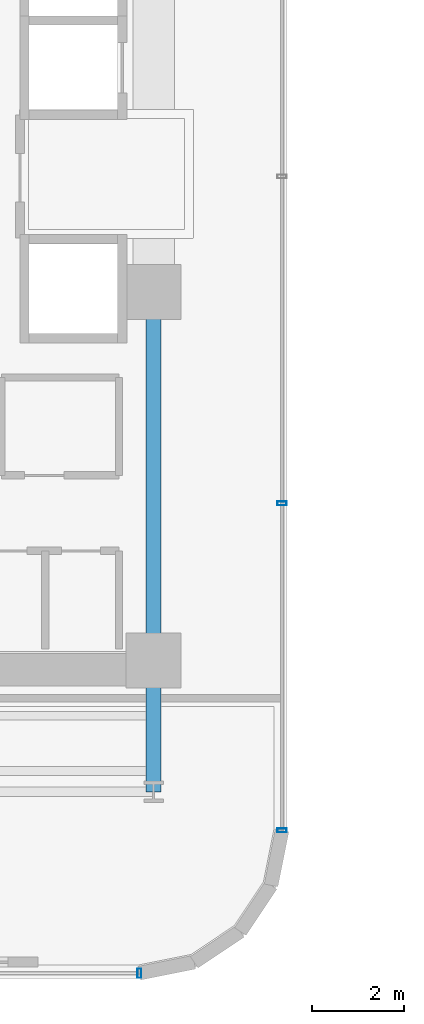
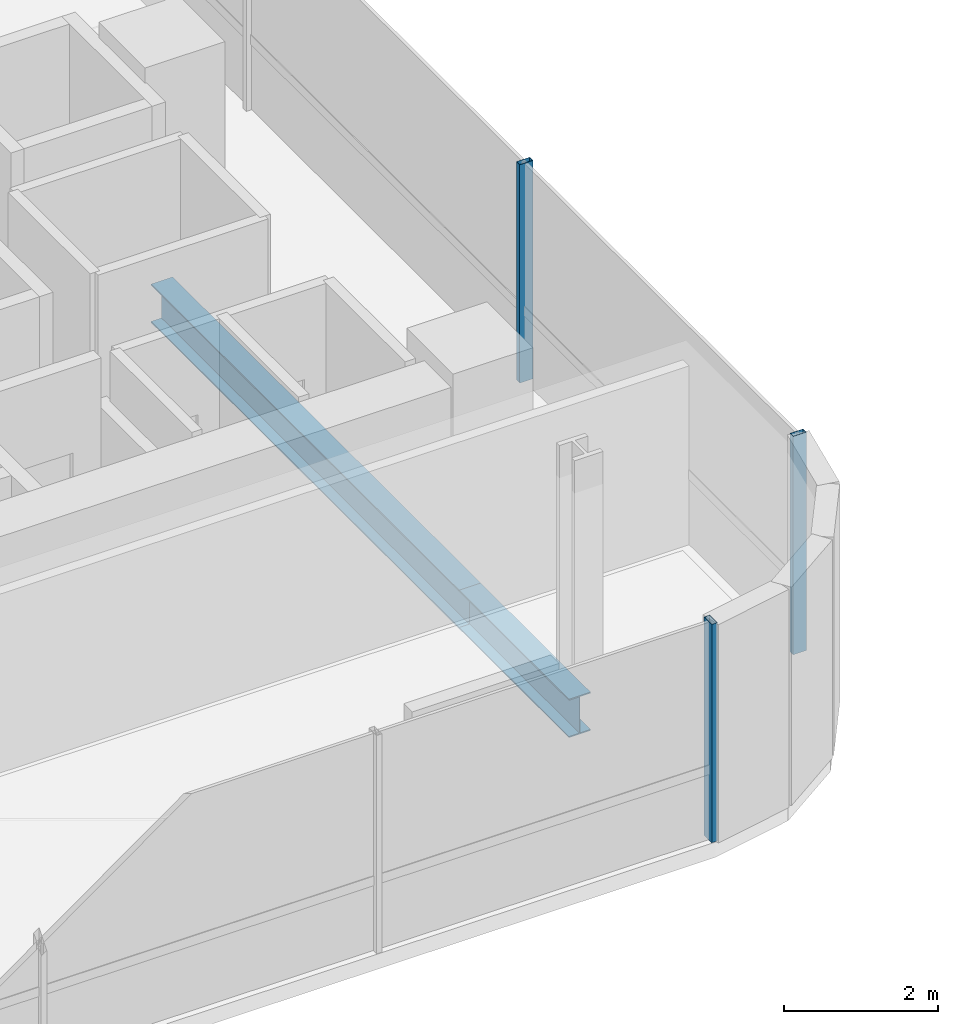
# One storey, part 5 of 38: 3 members, 2 beams, 2 elements without a shape of their own.
"""IFC4 building model written with IfcOpenShell, lengths in metres."""

from ifc_helpers import new_model, si_unit, direction, frame, origin, origin_2d, place, context, subcontext, project, spatial, hollow_rectangle, i_section, extrude, source, transform, mapped, material, material_profile, profile_set, type_object, element, aggregate, save


model = new_model("IFC4")

# Units and contexts
model_context = context("Model", 3, precision=1e-05, world=origin(), true_north=direction((0.0, 1.0)))
body_context = subcontext(model_context, "Body", "Model", "MODEL_VIEW")
ifc_project = project(units=[si_unit("LENGTHUNIT", "METRE"), si_unit("AREAUNIT", "SQUARE_METRE"), si_unit("VOLUMEUNIT", "CUBIC_METRE"), si_unit("PLANEANGLEUNIT", "RADIAN"), si_unit("MASSUNIT", "GRAM", prefix="KILO")], contexts=[model_context])

# Site, building, storey
site_placement = place(None, origin())
site = spatial("IfcSite", under=ifc_project, at=site_placement, CompositionType="ELEMENT")
building_placement = place(site_placement, origin())
building = spatial("IfcBuilding", under=site, at=building_placement, Name="Valdorenza Pilgrim Sanctuary Tower", CompositionType="ELEMENT")
storey_placement = place(building_placement, frame((0.0, 0.0, 131.60009765625)))
storey = spatial("IfcBuildingStorey", under=building, at=storey_placement, Name="L33", CompositionType="ELEMENT", Elevation=131.60009765625)

# Beams
ifc_material_1 = material(Name="Steel ASTM A992 Grade 50", Category="steel")
ifc_material_profile_1 = material_profile(ifc_material_1, i_section(OverallWidth=0.323974609375, OverallDepth=0.611083984375, WebThickness=0.0126953125, FlangeThickness=0.01904296875, at=origin_2d()), Name="W24X104")
ifc_profile_set_1 = profile_set([ifc_material_profile_1], Name="Steel ASTM A992 Grade 50")
beam_type = type_object("IfcBeamType", Name="STR-BM-GRD-W24B", PredefinedType="BEAM", material=ifc_profile_set_1)
shared_shape_1 = source(origin(), body_context, "Body", "SweptSolid", [
    extrude(i_section(OverallWidth=0.323974609375, OverallDepth=0.611083984375, WebThickness=0.0126953125, FlangeThickness=0.01904296875, at=origin_2d()), origin(), (0.0, 0.0, 1.0), 8.0),
])
beam_1_placement = place(storey_placement, frame((-12.39990234375, -10.60009765625, -0.545654296875), z_axis=(0.0, 1.0, 0.0), x_axis=(-1.0, 0.0, 0.0)))
element("IfcBeam", 1, at=beam_1_placement, inside=storey, type_object=beam_type, Name="L33 Core Tie Girder CA-E-S1M0", PredefinedType="BEAM", context=body_context, shape_type="MappedRepresentation", body=[
    mapped(shared_shape_1, transform((0.0, 0.0, 0.0), x_axis=(1.0, 0.0, 0.0), y_axis=(0.0, 1.0, 0.0), z_axis=(0.0, 0.0, 1.0), scale=1.0)),
])
shared_shape_2 = source(origin(), body_context, "Body", "SweptSolid", [
    extrude(i_section(OverallWidth=0.323974609375, OverallDepth=0.611083984375, WebThickness=0.0126953125, FlangeThickness=0.01904296875, at=origin_2d()), origin(), (0.0, 0.0, 1.0), 2.849853515625),
])
beam_2_placement = place(storey_placement, frame((-12.39990234375, -13.449951171875, -0.545654296875), z_axis=(0.0, 1.0, 0.0), x_axis=(-1.0, 0.0, 0.0)))
element("IfcBeam", 2, at=beam_2_placement, inside=storey, type_object=beam_type, Name="L33 Floor Girder WA-S-LE", PredefinedType="BEAM", context=body_context, shape_type="MappedRepresentation", body=[
    mapped(shared_shape_2, transform((0.0, 0.0, 0.0), x_axis=(1.0, 0.0, 0.0), y_axis=(0.0, 1.0, 0.0), z_axis=(0.0, 0.0, 1.0), scale=1.0)),
])

# Curtain wall, members
ifc_material_2 = material(Name="Curtain-wall IGU glazing", Category="glass")
curtain_wall_type = type_object("IfcCurtainWallType", Name="CW-SYS-02", PredefinedType="NOTDEFINED", material=ifc_material_2)
curtain_wall_1_placement = place(storey_placement, origin())
curtain_wall_1 = element("IfcCurtainWall", 3, at=curtain_wall_1_placement, inside=storey, type_object=curtain_wall_type, Name="L33 Curtain Wall CW-L33-1-41", PredefinedType="NOTDEFINED")
ifc_material_3 = material(Name="Anodised aluminium AW-6060", Category="aluminium")
ifc_material_profile_2 = material_profile(ifc_material_3, hollow_rectangle(XDim=0.0849609375, YDim=0.199951171875, WallThickness=0.0048828125, at=origin_2d()), Name="ALU-M 200x85x5")
ifc_profile_set_2 = profile_set([ifc_material_profile_2], Name="Anodised aluminium AW-6060")
member_type = type_object("IfcMemberType", Name="CW-MUL-02", PredefinedType="MULLION", material=ifc_profile_set_2)
shared_shape_3 = source(origin(), body_context, "Body", "SweptSolid", [
    extrude(hollow_rectangle(XDim=0.0849609375, YDim=0.199951171875, WallThickness=0.0048828125, at=origin_2d()), origin(), (0.0, 0.0, 1.0), 3.4599609375),
])
member_1_placement = place(storey_placement, frame((-9.610107421875, -7.189208984375, 0.0), z_axis=(0.0, 0.0, 1.0), x_axis=(0.0, -1.0, 0.0)))
member_1 = element("IfcMember", 4, at=member_1_placement, type_object=member_type, Name="CW-L33-1-41 Mullion 3", PredefinedType="MULLION", context=body_context, shape_type="MappedRepresentation", body=[
    mapped(shared_shape_3, transform((0.0, 0.0, 0.0), x_axis=(1.0, 0.0, 0.0), y_axis=(0.0, 1.0, 0.0), z_axis=(0.0, 0.0, 1.0), scale=1.0)),
])
member_2_placement = place(storey_placement, frame((-9.610107421875, -14.289306640625, 0.0), z_axis=(0.0, 0.0, 1.0), x_axis=(0.0, -1.0, 0.0)))
member_2 = element("IfcMember", 5, at=member_2_placement, type_object=member_type, Name="CW-L33-1-41 Mullion 4", PredefinedType="MULLION", context=body_context, shape_type="MappedRepresentation", body=[
    mapped(shared_shape_3, transform((0.0, 0.0, 0.0), x_axis=(1.0, 0.0, 0.0), y_axis=(0.0, 1.0, 0.0), z_axis=(0.0, 0.0, 1.0), scale=1.0)),
])
aggregate(curtain_wall_1, [member_1, member_2])

# Curtain wall, member
curtain_wall_2_placement = place(storey_placement, origin())
curtain_wall_2 = element("IfcCurtainWall", 6, at=curtain_wall_2_placement, inside=storey, type_object=curtain_wall_type, Name="L33 Curtain Wall CW-L33-1-46", PredefinedType="NOTDEFINED")
member_3_placement = place(storey_placement, frame((-12.710693359375, -17.389892578125, 0.0), z_axis=(0.0, 0.0, 1.0), x_axis=(-1.0, 0.0, 0.0)))
member_3 = element("IfcMember", 7, at=member_3_placement, type_object=member_type, Name="CW-L33-1-46 Mullion 1", PredefinedType="MULLION", context=body_context, shape_type="MappedRepresentation", body=[
    mapped(shared_shape_3, transform((0.0, 0.0, 0.0), x_axis=(1.0, 0.0, 0.0), y_axis=(0.0, 1.0, 0.0), z_axis=(0.0, 0.0, 1.0), scale=1.0)),
])
aggregate(curtain_wall_2, [member_3])

save(model, "model.ifc")
